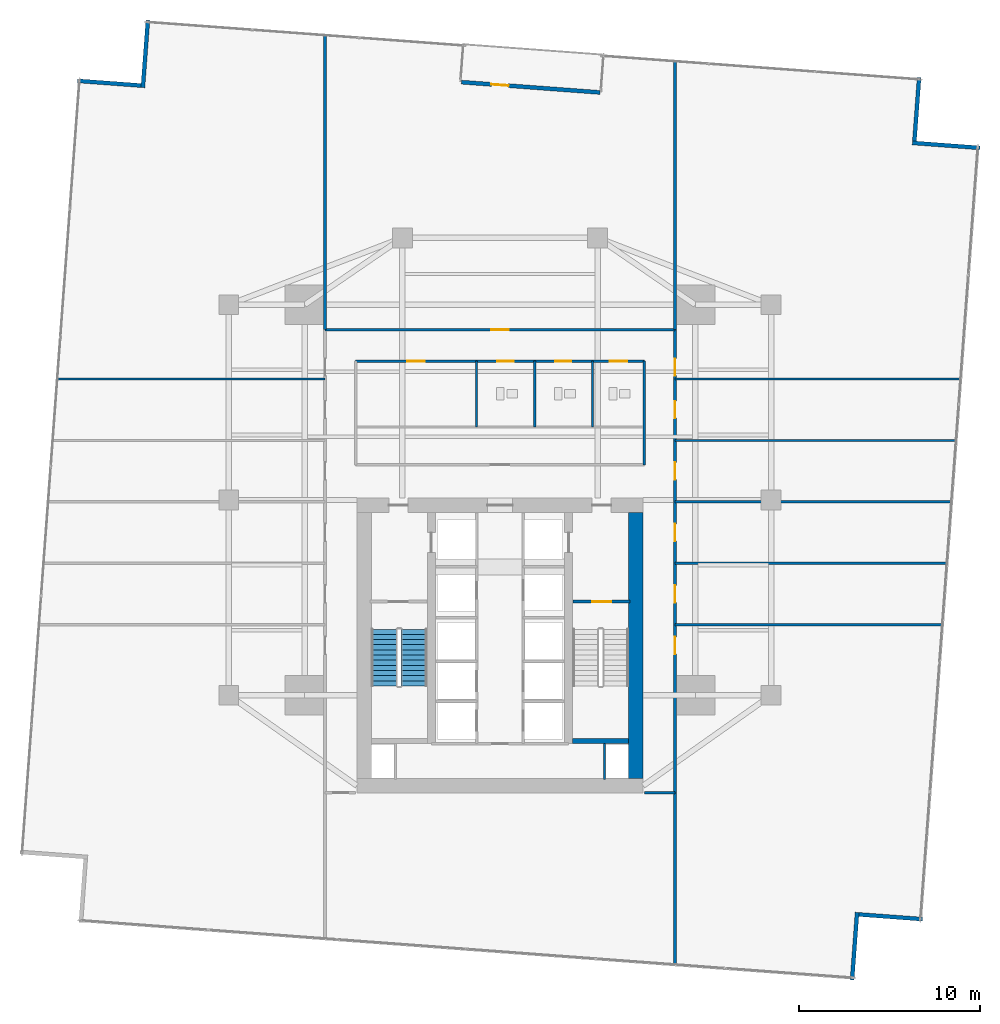
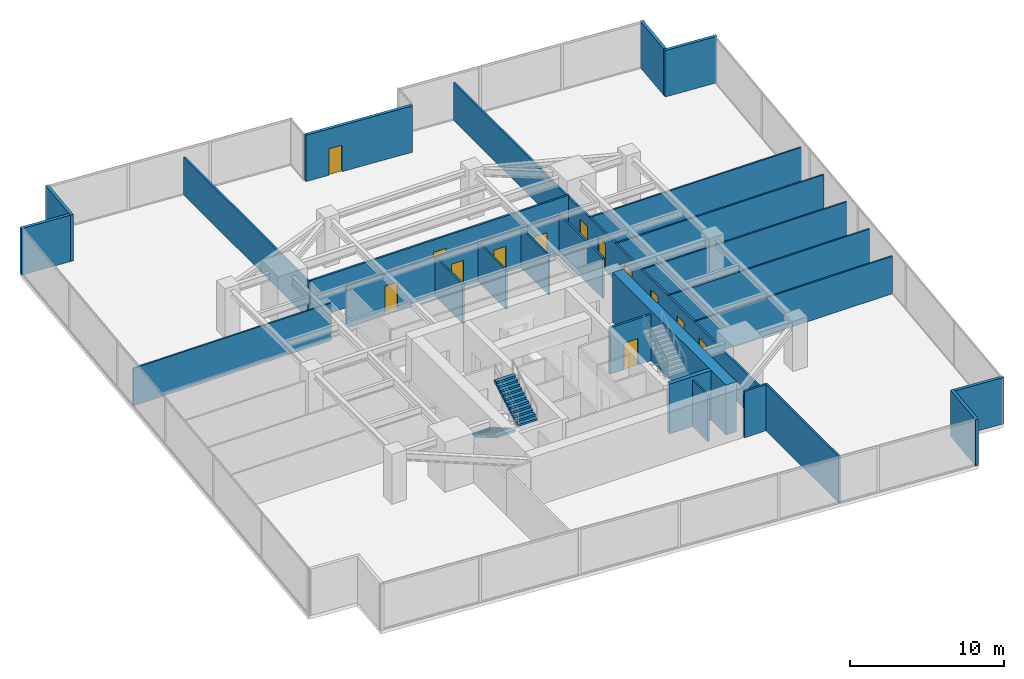
# One storey, part 27 of 30: 28 walls, 13 doors, 2 stair flights, 13 openings, 1 element without a shape of its own.
"""IFC4 building model written with IfcOpenShell, lengths in metres."""

from ifc_helpers import new_model, si_unit, direction, frame, frame_2d, origin, place, context, subcontext, project, spatial, polyline, rectangle, outline, extrude, material, layer, layer_set, type_object, element, fill, aggregate, save


model = new_model("IFC4")

# Units and contexts
model_context = context("Model", 3, precision=1e-05, world=origin(), true_north=direction((0.0, 1.0)))
body_context = subcontext(model_context, "Body", "Model", "MODEL_VIEW")
ifc_project = project(units=[si_unit("LENGTHUNIT", "METRE"), si_unit("AREAUNIT", "SQUARE_METRE"), si_unit("VOLUMEUNIT", "CUBIC_METRE"), si_unit("PLANEANGLEUNIT", "RADIAN"), si_unit("MASSUNIT", "GRAM", prefix="KILO")], contexts=[model_context])

# Site, building, storey
site_placement = place(None, origin())
site = spatial("IfcSite", under=ifc_project, at=site_placement, CompositionType="ELEMENT")
building_placement = place(site_placement, origin())
building = spatial("IfcBuilding", under=site, at=building_placement, Name="Krantzveldt Concourse Tower", CompositionType="ELEMENT")
storey_placement = place(building_placement, frame((0.0, 0.0, 52.64990234375)))
storey = spatial("IfcBuildingStorey", under=building, at=storey_placement, Name="L12", CompositionType="ELEMENT", Elevation=52.64990234375)

# Walls
ifc_material_1 = material(Name="Anodised aluminium 6063-T6", Category="aluminium")
ifc_layer_1 = layer(ifc_material_1, 0.219970703125, Name="Anodised aluminium 6063-T6", Category="aluminium")
ifc_layer_set_1 = layer_set([ifc_layer_1], Name="Anodised aluminium 6063-T6 (WL-EXT-NOTCH220)")
wall_type_1 = type_object("IfcWallType", Name="WL-EXT-NOTCH220", PredefinedType="ELEMENTEDWALL", material=ifc_layer_set_1)
wall_1_placement = place(storey_placement, frame((16.144287109375, 49.62451171875, 0.0), z_axis=(0.0, 0.0, 1.0), x_axis=(-0.997250341397, 0.074106386922, 0.0)))
element("IfcWall", 1, at=wall_1_placement, inside=storey, type_object=wall_type_1, Name="EW-L12-NCH00", PredefinedType="ELEMENTEDWALL", context=body_context, shape_type="SweptSolid", body=[
    extrude(rectangle(XDim=3.525146484375, YDim=0.219970703125, at=frame_2d((1.7626953125, 0.0))), origin(), (0.0, 0.0, 1.0), 3.670166015625),
])
wall_2_placement = place(storey_placement, frame((55.4765625, 0.15869140625, 0.0), z_axis=(0.0, 0.0, 1.0), x_axis=(0.074123825884, 0.997249045342, 0.0)))
element("IfcWall", 2, at=wall_2_placement, inside=storey, type_object=wall_type_1, Name="EW-L12-NCH05", PredefinedType="ELEMENTEDWALL", context=body_context, shape_type="SweptSolid", body=[
    extrude(rectangle(XDim=3.744873046875, YDim=0.219970703125, at=frame_2d((1.87255859375, 0.0))), origin(), (0.0, 0.0, 1.0), 3.670166015625),
])
wall_3_placement = place(storey_placement, frame((55.855712890625, 3.775390625, 0.0), z_axis=(0.0, 0.0, 1.0), x_axis=(0.997250341397, -0.074106386922, 0.0)))
element("IfcWall", 3, at=wall_3_placement, inside=storey, type_object=wall_type_1, Name="EW-L12-NCH06", PredefinedType="ELEMENTEDWALL", context=body_context, shape_type="SweptSolid", body=[
    extrude(rectangle(XDim=3.525146484375, YDim=0.219970703125, at=frame_2d((1.7626953125, 0.0))), origin(), (0.0, 0.0, 1.0), 3.670166015625),
])
wall_4_placement = place(storey_placement, frame((62.541259765625, 46.176513671875, 0.0), z_axis=(0.0, 0.0, 1.0), x_axis=(-0.997249045342, 0.074123825884, 0.0)))
element("IfcWall", 4, at=wall_4_placement, inside=storey, type_object=wall_type_1, Name="EW-L12-NCH08", PredefinedType="ELEMENTEDWALL", context=body_context, shape_type="SweptSolid", body=[
    extrude(rectangle(XDim=3.744873046875, YDim=0.219970703125, at=frame_2d((1.87255859375, 0.0))), origin(), (0.0, 0.0, 1.0), 3.670166015625),
])
wall_5_placement = place(storey_placement, frame((58.924560546875, 46.5556640625, 0.0), z_axis=(0.0, 0.0, 1.0), x_axis=(0.074106386922, 0.997250341397, 0.0)))
element("IfcWall", 5, at=wall_5_placement, inside=storey, type_object=wall_type_1, Name="EW-L12-NCH09", PredefinedType="ELEMENTEDWALL", context=body_context, shape_type="SweptSolid", body=[
    extrude(rectangle(XDim=3.525146484375, YDim=0.219970703125, at=frame_2d((1.7626953125, 0.0))), origin(), (0.0, 0.0, 1.0), 3.670166015625),
])

# Wall, opening, door
wall_6_placement = place(storey_placement, frame((33.86181640625, 49.81201171875, 0.0), z_axis=(0.0, 0.0, 1.0), x_axis=(0.997250923726, -0.074098550107, 0.0)))
wall_6 = element("IfcWall", 6, at=wall_6_placement, inside=storey, type_object=wall_type_1, Name="EW-L12-TSLOT", PredefinedType="ELEMENTEDWALL", context=body_context, shape_type="SweptSolid", body=[
    extrude(rectangle(XDim=7.690185546875, YDim=0.219970703125, at=frame_2d((3.84521484375, 0.0))), origin(), (0.0, 0.0, 1.0), 3.670166015625),
])
opening_1_placement = place(wall_6_placement, frame((1.666748046875, 0.0, 0.0)))
opening_1 = element("IfcOpeningElement", 7, at=opening_1_placement, cuts=wall_6, Name="Opening D-EX95", PredefinedType="OPENING", context=body_context, shape_type="SweptSolid", body=[
    extrude(rectangle(XDim=0.949951171875, YDim=2.10009765625, at=frame_2d((0.47509765625, 1.050048828125))), frame((0.0, 0.1201171875, 0.0), z_axis=(0.0, -1.0, 0.0), x_axis=(1.0, 0.0, 0.0)), (0.0, 0.0, 1.0), 0.239990234375),
])
door_type_1 = type_object("IfcDoorType", Name="DR-EXT-950", OperationType="SINGLE_SWING_LEFT", PredefinedType="DOOR", material=ifc_material_1)
door_1_placement = place(opening_1_placement, origin())
door_1 = element("IfcDoor", 8, at=door_1_placement, inside=storey, type_object=door_type_1, Name="DR-L12-TERR", OperationType="SINGLE_SWING_LEFT", OverallHeight=2.10009765625, OverallWidth=0.949951171875, PredefinedType="DOOR", context=body_context, shape_type="SweptSolid", body=[
    extrude(rectangle(XDim=0.949951171875, YDim=2.10009765625, at=frame_2d((0.47509765625, 1.050048828125))), frame((0.0, 0.02490234375, 0.0), z_axis=(0.0, -1.0, 0.0), x_axis=(1.0, 0.0, 0.0)), (0.0, 0.0, 1.0), 0.050048828125),
])
fill(opening_1, door_1)

# Walls
wall_7_placement = place(storey_placement, frame((16.5234375, 53.241455078125, 0.0), z_axis=(0.0, 0.0, 1.0), x_axis=(-0.074119007176, -0.997249403497, 0.0)))
element("IfcWall", 9, at=wall_7_placement, inside=storey, type_object=wall_type_1, Name="EW-L12-NCH15", PredefinedType="ELEMENTEDWALL", context=body_context, shape_type="SweptSolid", body=[
    extrude(rectangle(XDim=3.7451171875, YDim=0.219970703125, at=frame_2d((1.87255859375, 0.0))), origin(), (0.0, 0.0, 1.0), 3.670166015625),
])
ifc_material_2 = material(Name="Fire-rated gypsum plasterboard on steel stud", Category="steel")
ifc_layer_2 = layer(ifc_material_2, 0.1201171875, Name="Fire-rated gypsum plasterboard on steel stud", Category="steel")
ifc_layer_set_2 = layer_set([ifc_layer_2], Name="Fire-rated gypsum plasterboard on steel stud (WL-PART-120)")
wall_type_2 = type_object("IfcWallType", Name="WL-PART-120", PredefinedType="PARTITIONING", material=ifc_layer_set_2)
for number, where, z_axis, x_axis, name in (
    (10, (37.919921875, 30.739990234375, 0.0), (0.0, 0.0, 1.0), (0.0, 1.0, 0.0), "WP-L12-WCD1"),
    (11, (41.1201171875, 30.739990234375, 0.0), (0.0, 0.0, 1.0), (0.0, 1.0, 0.0), "WP-L12-WCD2"),
    (12, (34.699951171875, 30.739990234375, 0.0), (0.0, 0.0, 1.0), (0.0, 1.0, 0.0), "WP-L12-WCD3"),
):
    element("IfcWall", number, at=place(storey_placement, frame(where, z_axis=z_axis, x_axis=x_axis)), inside=storey, type_object=wall_type_2, Name=name, PredefinedType="PARTITIONING", context=body_context, shape_type="SweptSolid", body=[
        extrude(rectangle(XDim=3.639892578125, YDim=0.1201171875, at=frame_2d((1.81982421875, 0.0))), origin(), (0.0, 0.0, 1.0), 3.1201171875),
    ])
wall_8_placement = place(storey_placement, frame((11.519287109375, 33.39990234375, 0.0), z_axis=(0.0, 0.0, 1.0), x_axis=(1.0, 0.0, 0.0)))
element("IfcWall", 13, at=wall_8_placement, inside=storey, type_object=wall_type_2, Name="WP-L12-WD5", PredefinedType="PARTITIONING", context=body_context, shape_type="SweptSolid", body=[
    extrude(rectangle(XDim=14.80078125, YDim=0.1201171875, at=frame_2d((7.400390625, 0.0))), origin(), (0.0, 0.0, 1.0), 2.97021484375),
])
wall_9_placement = place(storey_placement, frame((45.679931640625, 19.800048828125, 0.0), z_axis=(0.0, 0.0, 1.0), x_axis=(1.0, 0.0, 0.0)))
element("IfcWall", 14, at=wall_9_placement, inside=storey, type_object=wall_type_2, Name="WP-L12-ED1", PredefinedType="PARTITIONING", context=body_context, shape_type="SweptSolid", body=[
    extrude(rectangle(XDim=14.785888671875, YDim=0.1201171875, at=frame_2d((7.39306640625, 0.0))), origin(), (0.0, 0.0, 1.0), 2.97021484375),
])
wall_10_placement = place(storey_placement, frame((45.679931640625, 23.199951171875, 0.0), z_axis=(0.0, 0.0, 1.0), x_axis=(1.0, 0.0, 0.0)))
element("IfcWall", 15, at=wall_10_placement, inside=storey, type_object=wall_type_2, Name="WP-L12-ED2", PredefinedType="PARTITIONING", context=body_context, shape_type="SweptSolid", body=[
    extrude(rectangle(XDim=15.03857421875, YDim=0.1201171875, at=frame_2d((7.519287109375, 0.0))), origin(), (0.0, 0.0, 1.0), 2.97021484375),
])
wall_11_placement = place(storey_placement, frame((45.679931640625, 26.60009765625, 0.0), z_axis=(0.0, 0.0, 1.0), x_axis=(1.0, 0.0, 0.0)))
element("IfcWall", 16, at=wall_11_placement, inside=storey, type_object=wall_type_2, Name="WP-L12-ED3", PredefinedType="PARTITIONING", context=body_context, shape_type="SweptSolid", body=[
    extrude(rectangle(XDim=15.291259765625, YDim=0.1201171875, at=frame_2d((7.6455078125, 0.0))), origin(), (0.0, 0.0, 1.0), 2.97021484375),
])
wall_12_placement = place(storey_placement, frame((45.679931640625, 30.0, 0.0), z_axis=(0.0, 0.0, 1.0), x_axis=(1.0, 0.0, 0.0)))
element("IfcWall", 17, at=wall_12_placement, inside=storey, type_object=wall_type_2, Name="WP-L12-ED4", PredefinedType="PARTITIONING", context=body_context, shape_type="SweptSolid", body=[
    extrude(rectangle(XDim=15.5439453125, YDim=0.1201171875, at=frame_2d((7.77197265625, 0.0))), origin(), (0.0, 0.0, 1.0), 2.97021484375),
])
wall_13_placement = place(storey_placement, frame((45.679931640625, 33.39990234375, 0.0), z_axis=(0.0, 0.0, 1.0), x_axis=(1.0, 0.0, 0.0)))
element("IfcWall", 18, at=wall_13_placement, inside=storey, type_object=wall_type_2, Name="WP-L12-ED5", PredefinedType="PARTITIONING", context=body_context, shape_type="SweptSolid", body=[
    extrude(rectangle(XDim=15.796630859375, YDim=0.1201171875, at=frame_2d((7.8984375, 0.0))), origin(), (0.0, 0.0, 1.0), 2.97021484375),
])

# Wall, openings, doors
ifc_layer_3 = layer(ifc_material_2, 0.139892578125, Name="Fire-rated gypsum plasterboard on steel stud", Category="steel")
ifc_layer_set_3 = layer_set([ifc_layer_3], Name="Fire-rated gypsum plasterboard on steel stud (WL-PART-140)")
wall_type_3 = type_object("IfcWallType", Name="WL-PART-140", PredefinedType="PARTITIONING", material=ifc_layer_set_3)
wall_14_placement = place(storey_placement, frame((28.02001953125, 34.3798828125, 0.0), z_axis=(0.0, 0.0, 1.0), x_axis=(1.0, 0.0, 0.0)))
wall_14 = element("IfcWall", 19, at=wall_14_placement, inside=storey, type_object=wall_type_3, Name="WP-L12-ISLN", PredefinedType="PARTITIONING", context=body_context, shape_type="SweptSolid", body=[
    extrude(rectangle(XDim=15.9599609375, YDim=0.139892578125, at=frame_2d((7.97998046875, 0.0))), origin(), (0.0, 0.0, 1.0), 3.080078125),
])
opening_2_placement = place(wall_14_placement, frame((7.830078125, 0.0, 0.0)))
opening_2 = element("IfcOpeningElement", 20, at=opening_2_placement, cuts=wall_14, Name="Opening D-IN090", PredefinedType="OPENING", context=body_context, shape_type="SweptSolid", body=[
    extrude(rectangle(XDim=0.89990234375, YDim=2.10009765625, at=frame_2d((0.449951171875, 1.050048828125))), frame((0.0, 0.080078125, 0.0), z_axis=(0.0, -1.0, 0.0), x_axis=(1.0, 0.0, 0.0)), (0.0, 0.0, 1.0), 0.159912109375),
])
opening_3_placement = place(wall_14_placement, frame((11.030029296875, 0.0, 0.0)))
opening_3 = element("IfcOpeningElement", 21, at=opening_3_placement, cuts=wall_14, Name="Opening D-IN090", PredefinedType="OPENING", context=body_context, shape_type="SweptSolid", body=[
    extrude(rectangle(XDim=0.89990234375, YDim=2.10009765625, at=frame_2d((0.449951171875, 1.050048828125))), frame((0.0, 0.080078125, 0.0), z_axis=(0.0, -1.0, 0.0), x_axis=(1.0, 0.0, 0.0)), (0.0, 0.0, 1.0), 0.159912109375),
])
opening_4_placement = place(wall_14_placement, frame((14.054931640625, 0.0, 0.0)))
opening_4 = element("IfcOpeningElement", 22, at=opening_4_placement, cuts=wall_14, Name="Opening D-IN095", PredefinedType="OPENING", context=body_context, shape_type="SweptSolid", body=[
    extrude(rectangle(XDim=0.949951171875, YDim=2.10009765625, at=frame_2d((0.47509765625, 1.050048828125))), frame((0.0, 0.080078125, 0.0), z_axis=(0.0, -1.0, 0.0), x_axis=(1.0, 0.0, 0.0)), (0.0, 0.0, 1.0), 0.159912109375),
])
opening_5_placement = place(wall_14_placement, frame((2.85498046875, 0.0, 0.0)))
opening_5 = element("IfcOpeningElement", 23, at=opening_5_placement, cuts=wall_14, Name="Opening D-IN095", PredefinedType="OPENING", context=body_context, shape_type="SweptSolid", body=[
    extrude(rectangle(XDim=0.949951171875, YDim=2.10009765625, at=frame_2d((0.47509765625, 1.050048828125))), frame((0.0, 0.080078125, 0.0), z_axis=(0.0, -1.0, 0.0), x_axis=(1.0, 0.0, 0.0)), (0.0, 0.0, 1.0), 0.159912109375),
])
ifc_material_3 = material(Name="Hardwood timber", Category="wood")
door_type_2 = type_object("IfcDoorType", Name="DR-INT-900", OperationType="SINGLE_SWING_LEFT", PredefinedType="DOOR", material=ifc_material_3)
door_2_placement = place(opening_2_placement, origin())
door_2 = element("IfcDoor", 24, at=door_2_placement, inside=storey, type_object=door_type_2, Name="DR-L12-WCM", OperationType="SINGLE_SWING_LEFT", OverallHeight=2.10009765625, OverallWidth=0.89990234375, PredefinedType="DOOR", context=body_context, shape_type="SweptSolid", body=[
    extrude(rectangle(XDim=0.89990234375, YDim=2.10009765625, at=frame_2d((0.449951171875, 1.050048828125))), frame((0.0, 0.02490234375, 0.0), z_axis=(0.0, -1.0, 0.0), x_axis=(1.0, 0.0, 0.0)), (0.0, 0.0, 1.0), 0.050048828125),
])
fill(opening_2, door_2)
door_3_placement = place(opening_3_placement, origin())
door_3 = element("IfcDoor", 25, at=door_3_placement, inside=storey, type_object=door_type_2, Name="DR-L12-WCF", OperationType="SINGLE_SWING_RIGHT", OverallHeight=2.10009765625, OverallWidth=0.89990234375, PredefinedType="DOOR", context=body_context, shape_type="SweptSolid", body=[
    extrude(rectangle(XDim=0.89990234375, YDim=2.10009765625, at=frame_2d((0.449951171875, 1.050048828125))), frame((0.0, 0.02490234375, 0.0), z_axis=(0.0, -1.0, 0.0), x_axis=(1.0, 0.0, 0.0)), (0.0, 0.0, 1.0), 0.050048828125),
])
fill(opening_3, door_3)
door_type_3 = type_object("IfcDoorType", Name="DR-INT-950", OperationType="SINGLE_SWING_LEFT", PredefinedType="DOOR", material=ifc_material_3)
door_4_placement = place(opening_4_placement, origin())
door_4 = element("IfcDoor", 26, at=door_4_placement, inside=storey, type_object=door_type_3, Name="DR-L12-WCA", OperationType="SINGLE_SWING_LEFT", OverallHeight=2.10009765625, OverallWidth=0.949951171875, PredefinedType="DOOR", context=body_context, shape_type="SweptSolid", body=[
    extrude(rectangle(XDim=0.949951171875, YDim=2.10009765625, at=frame_2d((0.47509765625, 1.050048828125))), frame((0.0, 0.02490234375, 0.0), z_axis=(0.0, -1.0, 0.0), x_axis=(1.0, 0.0, 0.0)), (0.0, 0.0, 1.0), 0.050048828125),
])
fill(opening_4, door_4)
door_5_placement = place(opening_5_placement, origin())
door_5 = element("IfcDoor", 27, at=door_5_placement, inside=storey, type_object=door_type_3, Name="DR-L12-PNT", OperationType="SINGLE_SWING_RIGHT", OverallHeight=2.10009765625, OverallWidth=0.949951171875, PredefinedType="DOOR", context=body_context, shape_type="SweptSolid", body=[
    extrude(rectangle(XDim=0.949951171875, YDim=2.10009765625, at=frame_2d((0.47509765625, 1.050048828125))), frame((0.0, 0.02490234375, 0.0), z_axis=(0.0, -1.0, 0.0), x_axis=(1.0, 0.0, 0.0)), (0.0, 0.0, 1.0), 0.050048828125),
])
fill(opening_5, door_5)

# Wall
wall_15_placement = place(storey_placement, frame((43.97998046875, 28.639892578125, 0.0), z_axis=(0.0, 0.0, 1.0), x_axis=(0.0, 1.0, 0.0)))
element("IfcWall", 28, at=wall_15_placement, inside=storey, type_object=wall_type_3, Name="WP-L12-ISLE", PredefinedType="PARTITIONING", context=body_context, shape_type="SweptSolid", body=[
    extrude(rectangle(XDim=5.739990234375, YDim=0.139892578125, at=frame_2d((2.8701171875, 0.0))), origin(), (0.0, 0.0, 1.0), 3.22021484375),
])

# Wall, opening, door
wall_16_placement = place(storey_placement, frame((26.320068359375, 36.1201171875, 0.0), z_axis=(0.0, 0.0, 1.0), x_axis=(1.0, 0.0, 0.0)))
wall_16 = element("IfcWall", 29, at=wall_16_placement, inside=storey, type_object=wall_type_3, Name="WP-L12-CTOP", PredefinedType="PARTITIONING", context=body_context, shape_type="SweptSolid", body=[
    extrude(rectangle(XDim=19.35986328125, YDim=0.139892578125, at=frame_2d((9.679931640625, 0.0))), origin(), (0.0, 0.0, 1.0), 3.080078125),
])
opening_6_placement = place(wall_16_placement, frame((9.205078125, 0.0, 0.0)))
opening_6 = element("IfcOpeningElement", 30, at=opening_6_placement, cuts=wall_16, Name="Opening D-IN095", PredefinedType="OPENING", context=body_context, shape_type="SweptSolid", body=[
    extrude(rectangle(XDim=0.949951171875, YDim=2.10009765625, at=frame_2d((0.47509765625, 1.050048828125))), frame((0.0, 0.080078125, 0.0), z_axis=(0.0, -1.0, 0.0), x_axis=(1.0, 0.0, 0.0)), (0.0, 0.0, 1.0), 0.159912109375),
])
door_6_placement = place(opening_6_placement, origin())
door_6 = element("IfcDoor", 31, at=door_6_placement, inside=storey, type_object=door_type_3, Name="DR-L12-NR1", OperationType="SINGLE_SWING_LEFT", OverallHeight=2.10009765625, OverallWidth=0.949951171875, PredefinedType="DOOR", context=body_context, shape_type="SweptSolid", body=[
    extrude(rectangle(XDim=0.949951171875, YDim=2.10009765625, at=frame_2d((0.47509765625, 1.050048828125))), frame((0.0, 0.02490234375, 0.0), z_axis=(0.0, -1.0, 0.0), x_axis=(1.0, 0.0, 0.0)), (0.0, 0.0, 1.0), 0.050048828125),
])
fill(opening_6, door_6)

# Wall, openings, doors
wall_17_placement = place(storey_placement, frame((45.679931640625, 10.5, 0.0), z_axis=(0.0, 0.0, 1.0), x_axis=(0.0, 1.0, 0.0)))
wall_17 = element("IfcWall", 32, at=wall_17_placement, inside=storey, type_object=wall_type_3, Name="WP-L12-CEAST", PredefinedType="PARTITIONING", context=body_context, shape_type="SweptSolid", body=[
    extrude(rectangle(XDim=25.6201171875, YDim=0.139892578125, at=frame_2d((12.81005859375, 0.0))), origin(), (0.0, 0.0, 1.0), 2.97021484375),
])
opening_7_placement = place(wall_17_placement, frame((7.675048828125, 0.0, 0.0)))
opening_7 = element("IfcOpeningElement", 33, at=opening_7_placement, cuts=wall_17, Name="Opening D-IN095", PredefinedType="OPENING", context=body_context, shape_type="SweptSolid", body=[
    extrude(rectangle(XDim=0.949951171875, YDim=2.10009765625, at=frame_2d((0.47509765625, 1.050048828125))), frame((0.0, 0.080078125, 0.0), z_axis=(0.0, -1.0, 0.0), x_axis=(1.0, 0.0, 0.0)), (0.0, 0.0, 1.0), 0.159912109375),
])
opening_8_placement = place(wall_17_placement, frame((10.52490234375, 0.0, 0.0)))
opening_8 = element("IfcOpeningElement", 34, at=opening_8_placement, cuts=wall_17, Name="Opening D-IN095", PredefinedType="OPENING", context=body_context, shape_type="SweptSolid", body=[
    extrude(rectangle(XDim=0.949951171875, YDim=2.10009765625, at=frame_2d((0.47509765625, 1.050048828125))), frame((0.0, 0.080078125, 0.0), z_axis=(0.0, -1.0, 0.0), x_axis=(1.0, 0.0, 0.0)), (0.0, 0.0, 1.0), 0.159912109375),
])
opening_9_placement = place(wall_17_placement, frame((13.925048828125, 0.0, 0.0)))
opening_9 = element("IfcOpeningElement", 35, at=opening_9_placement, cuts=wall_17, Name="Opening D-IN095", PredefinedType="OPENING", context=body_context, shape_type="SweptSolid", body=[
    extrude(rectangle(XDim=0.949951171875, YDim=2.10009765625, at=frame_2d((0.47509765625, 1.050048828125))), frame((0.0, 0.080078125, 0.0), z_axis=(0.0, -1.0, 0.0), x_axis=(1.0, 0.0, 0.0)), (0.0, 0.0, 1.0), 0.159912109375),
])
opening_10_placement = place(wall_17_placement, frame((17.324951171875, 0.0, 0.0)))
opening_10 = element("IfcOpeningElement", 36, at=opening_10_placement, cuts=wall_17, Name="Opening D-IN095", PredefinedType="OPENING", context=body_context, shape_type="SweptSolid", body=[
    extrude(rectangle(XDim=0.949951171875, YDim=2.10009765625, at=frame_2d((0.47509765625, 1.050048828125))), frame((0.0, 0.080078125, 0.0), z_axis=(0.0, -1.0, 0.0), x_axis=(1.0, 0.0, 0.0)), (0.0, 0.0, 1.0), 0.159912109375),
])
opening_11_placement = place(wall_17_placement, frame((20.72509765625, 0.0, 0.0)))
opening_11 = element("IfcOpeningElement", 37, at=opening_11_placement, cuts=wall_17, Name="Opening D-IN095", PredefinedType="OPENING", context=body_context, shape_type="SweptSolid", body=[
    extrude(rectangle(XDim=0.949951171875, YDim=2.10009765625, at=frame_2d((0.47509765625, 1.050048828125))), frame((0.0, 0.080078125, 0.0), z_axis=(0.0, -1.0, 0.0), x_axis=(1.0, 0.0, 0.0)), (0.0, 0.0, 1.0), 0.159912109375),
])
opening_12_placement = place(wall_17_placement, frame((23.074951171875, 0.0, 0.0)))
opening_12 = element("IfcOpeningElement", 38, at=opening_12_placement, cuts=wall_17, Name="Opening D-IN095", PredefinedType="OPENING", context=body_context, shape_type="SweptSolid", body=[
    extrude(rectangle(XDim=0.949951171875, YDim=2.10009765625, at=frame_2d((0.47509765625, 1.050048828125))), frame((0.0, 0.080078125, 0.0), z_axis=(0.0, -1.0, 0.0), x_axis=(1.0, 0.0, 0.0)), (0.0, 0.0, 1.0), 0.159912109375),
])
door_7_placement = place(opening_7_placement, origin())
door_7 = element("IfcDoor", 39, at=door_7_placement, inside=storey, type_object=door_type_3, Name="DR-L12-ER1", OperationType="SINGLE_SWING_LEFT", OverallHeight=2.10009765625, OverallWidth=0.949951171875, PredefinedType="DOOR", context=body_context, shape_type="SweptSolid", body=[
    extrude(rectangle(XDim=0.949951171875, YDim=2.10009765625, at=frame_2d((0.47509765625, 1.050048828125))), frame((0.0, 0.02490234375, 0.0), z_axis=(0.0, -1.0, 0.0), x_axis=(1.0, 0.0, 0.0)), (0.0, 0.0, 1.0), 0.050048828125),
])
fill(opening_7, door_7)
door_8_placement = place(opening_8_placement, origin())
door_8 = element("IfcDoor", 40, at=door_8_placement, inside=storey, type_object=door_type_3, Name="DR-L12-ER2", OperationType="SINGLE_SWING_LEFT", OverallHeight=2.10009765625, OverallWidth=0.949951171875, PredefinedType="DOOR", context=body_context, shape_type="SweptSolid", body=[
    extrude(rectangle(XDim=0.949951171875, YDim=2.10009765625, at=frame_2d((0.47509765625, 1.050048828125))), frame((0.0, 0.02490234375, 0.0), z_axis=(0.0, -1.0, 0.0), x_axis=(1.0, 0.0, 0.0)), (0.0, 0.0, 1.0), 0.050048828125),
])
fill(opening_8, door_8)
door_9_placement = place(opening_9_placement, origin())
door_9 = element("IfcDoor", 41, at=door_9_placement, inside=storey, type_object=door_type_3, Name="DR-L12-ER3", OperationType="SINGLE_SWING_LEFT", OverallHeight=2.10009765625, OverallWidth=0.949951171875, PredefinedType="DOOR", context=body_context, shape_type="SweptSolid", body=[
    extrude(rectangle(XDim=0.949951171875, YDim=2.10009765625, at=frame_2d((0.47509765625, 1.050048828125))), frame((0.0, 0.02490234375, 0.0), z_axis=(0.0, -1.0, 0.0), x_axis=(1.0, 0.0, 0.0)), (0.0, 0.0, 1.0), 0.050048828125),
])
fill(opening_9, door_9)
door_10_placement = place(opening_10_placement, origin())
door_10 = element("IfcDoor", 42, at=door_10_placement, inside=storey, type_object=door_type_3, Name="DR-L12-ER4", OperationType="SINGLE_SWING_LEFT", OverallHeight=2.10009765625, OverallWidth=0.949951171875, PredefinedType="DOOR", context=body_context, shape_type="SweptSolid", body=[
    extrude(rectangle(XDim=0.949951171875, YDim=2.10009765625, at=frame_2d((0.47509765625, 1.050048828125))), frame((0.0, 0.02490234375, 0.0), z_axis=(0.0, -1.0, 0.0), x_axis=(1.0, 0.0, 0.0)), (0.0, 0.0, 1.0), 0.050048828125),
])
fill(opening_10, door_10)
door_11_placement = place(opening_11_placement, origin())
door_11 = element("IfcDoor", 43, at=door_11_placement, inside=storey, type_object=door_type_3, Name="DR-L12-ER5", OperationType="SINGLE_SWING_LEFT", OverallHeight=2.10009765625, OverallWidth=0.949951171875, PredefinedType="DOOR", context=body_context, shape_type="SweptSolid", body=[
    extrude(rectangle(XDim=0.949951171875, YDim=2.10009765625, at=frame_2d((0.47509765625, 1.050048828125))), frame((0.0, 0.02490234375, 0.0), z_axis=(0.0, -1.0, 0.0), x_axis=(1.0, 0.0, 0.0)), (0.0, 0.0, 1.0), 0.050048828125),
])
fill(opening_11, door_11)
door_12_placement = place(opening_12_placement, origin())
door_12 = element("IfcDoor", 44, at=door_12_placement, inside=storey, type_object=door_type_3, Name="DR-L12-ER6", OperationType="SINGLE_SWING_LEFT", OverallHeight=2.10009765625, OverallWidth=0.949951171875, PredefinedType="DOOR", context=body_context, shape_type="SweptSolid", body=[
    extrude(rectangle(XDim=0.949951171875, YDim=2.10009765625, at=frame_2d((0.47509765625, 1.050048828125))), frame((0.0, 0.02490234375, 0.0), z_axis=(0.0, -1.0, 0.0), x_axis=(1.0, 0.0, 0.0)), (0.0, 0.0, 1.0), 0.050048828125),
])
fill(opening_12, door_12)

# Walls
wall_18_placement = place(storey_placement, frame((44.0, 10.5, 0.0), z_axis=(0.0, 0.0, 1.0), x_axis=(1.0, 0.0, 0.0)))
element("IfcWall", 45, at=wall_18_placement, inside=storey, type_object=wall_type_3, Name="WP-L12-CEBOT", PredefinedType="PARTITIONING", context=body_context, shape_type="SweptSolid", body=[
    extrude(rectangle(XDim=1.679931640625, YDim=0.139892578125, at=frame_2d((0.83984375, 0.0))), origin(), (0.0, 0.0, 1.0), 3.670166015625),
])
wall_19_placement = place(storey_placement, frame((26.320068359375, 36.1201171875, 0.0), z_axis=(0.0, 0.0, 1.0), x_axis=(0.0, 1.0, 0.0)))
element("IfcWall", 46, at=wall_19_placement, inside=storey, type_object=wall_type_3, Name="WP-L12-NWL", PredefinedType="PARTITIONING", context=body_context, shape_type="SweptSolid", body=[
    extrude(rectangle(XDim=16.27783203125, YDim=0.139892578125, at=frame_2d((8.138916015625, 0.0))), origin(), (0.0, 0.0, 1.0), 2.97021484375),
])
wall_20_placement = place(storey_placement, frame((45.679931640625, 36.1201171875, 0.0), z_axis=(0.0, 0.0, 1.0), x_axis=(0.0, 1.0, 0.0)))
element("IfcWall", 47, at=wall_20_placement, inside=storey, type_object=wall_type_3, Name="WP-L12-NER", PredefinedType="PARTITIONING", context=body_context, shape_type="SweptSolid", body=[
    extrude(rectangle(XDim=14.839111328125, YDim=0.139892578125, at=frame_2d((7.41943359375, 0.0))), origin(), (0.0, 0.0, 1.0), 2.97021484375),
])
wall_21_placement = place(storey_placement, frame((45.679931640625, 1.001953125, 0.0), z_axis=(0.0, 0.0, 1.0), x_axis=(0.0, 1.0, 0.0)))
element("IfcWall", 48, at=wall_21_placement, inside=storey, type_object=wall_type_3, Name="WP-L12-SER", PredefinedType="PARTITIONING", context=body_context, shape_type="SweptSolid", body=[
    extrude(rectangle(XDim=9.498046875, YDim=0.139892578125, at=frame_2d((4.7490234375, 0.0))), origin(), (0.0, 0.0, 1.0), 3.670166015625),
])
ifc_layer_4 = layer(ifc_material_2, 0.139892578125, Name="Fire-rated gypsum plasterboard on steel stud", Category="steel")
ifc_layer_set_4 = layer_set([ifc_layer_4], Name="Fire-rated gypsum plasterboard on steel stud (WL-PART-FR140)")
wall_type_4 = type_object("IfcWallType", Name="WL-PART-FR140", PredefinedType="PARTITIONING", material=ifc_layer_set_4)
wall_22_placement = place(storey_placement, frame((41.780029296875, 11.25, 0.0), z_axis=(0.0, 0.0, 1.0), x_axis=(0.0, 1.0, 0.0)))
element("IfcWall", 49, at=wall_22_placement, inside=storey, type_object=wall_type_4, Name="WP-L12-RSE", PredefinedType="PARTITIONING", context=body_context, shape_type="SweptSolid", body=[
    extrude(rectangle(XDim=1.969970703125, YDim=0.1201171875, at=frame_2d((0.98486328125, 0.0))), origin(), (0.0, 0.0, 1.0), 3.670166015625),
])

# Wall, opening, door
ifc_layer_5 = layer(ifc_material_2, 0.159912109375, Name="Fire-rated gypsum plasterboard on steel stud", Category="steel")
ifc_layer_set_5 = layer_set([ifc_layer_5], Name="Fire-rated gypsum plasterboard on steel stud (WL-PART-FR160)")
wall_type_5 = type_object("IfcWallType", Name="WL-PART-FR160", PredefinedType="PARTITIONING", material=ifc_layer_set_5)
wall_23_placement = place(storey_placement, frame((40.0400390625, 21.080078125, 0.0), z_axis=(0.0, 0.0, 1.0), x_axis=(1.0, 0.0, 0.0)))
wall_23 = element("IfcWall", 50, at=wall_23_placement, inside=storey, type_object=wall_type_5, Name="WP-L12-ST2", PredefinedType="PARTITIONING", context=body_context, shape_type="SweptSolid", body=[
    extrude(rectangle(XDim=3.159912109375, YDim=0.159912109375, at=frame_2d((1.580078125, 0.0))), origin(), (0.0, 0.0, 1.0), 3.670166015625),
])
opening_13_placement = place(wall_23_placement, frame((1.054931640625, 0.0, 0.0)))
opening_13 = element("IfcOpeningElement", 51, at=opening_13_placement, cuts=wall_23, Name="Opening D-FD105", PredefinedType="OPENING", context=body_context, shape_type="SweptSolid", body=[
    extrude(rectangle(XDim=1.050048828125, YDim=2.10009765625, at=frame_2d((0.52490234375, 1.050048828125))), frame((0.0, 0.08984375, 0.0), z_axis=(0.0, -1.0, 0.0), x_axis=(1.0, 0.0, 0.0)), (0.0, 0.0, 1.0), 0.179931640625),
])
ifc_material_4 = material(Name="Galvanised steel", Category="steel")
door_type_4 = type_object("IfcDoorType", Name="DR-FD120-1050", OperationType="SINGLE_SWING_LEFT", PredefinedType="DOOR", material=ifc_material_4)
door_13_placement = place(opening_13_placement, origin())
door_13 = element("IfcDoor", 52, at=door_13_placement, inside=storey, type_object=door_type_4, Name="DR-L12-ST2", OperationType="SINGLE_SWING_LEFT", OverallHeight=2.10009765625, OverallWidth=1.050048828125, PredefinedType="DOOR", context=body_context, shape_type="SweptSolid", body=[
    extrude(rectangle(XDim=1.050048828125, YDim=2.10009765625, at=frame_2d((0.52490234375, 1.050048828125))), frame((0.0, 0.02490234375, 0.0), z_axis=(0.0, -1.0, 0.0), x_axis=(1.0, 0.0, 0.0)), (0.0, 0.0, 1.0), 0.050048828125),
])
fill(opening_13, door_13)

# Walls
ifc_material_5 = material(Name="Concrete C50/60", Category="concrete")
ifc_layer_6 = layer(ifc_material_5, 0.300048828125, Name="Concrete C50/60", Category="concrete")
ifc_layer_set_6 = layer_set([ifc_layer_6], Name="Concrete C50/60 (WL-SHEAR-300)")
wall_type_6 = type_object("IfcWallType", Name="WL-SHEAR-300", PredefinedType="SHEAR", material=ifc_layer_set_6)
wall_24_placement = place(storey_placement, frame((40.02001953125, 13.3701171875, 0.0), z_axis=(0.0, 0.0, 1.0), x_axis=(1.0, 0.0, 0.0)))
element("IfcWall", 53, at=wall_24_placement, inside=storey, type_object=wall_type_6, Name="CW-L12-ST2S", PredefinedType="SHEAR", context=body_context, shape_type="SweptSolid", body=[
    extrude(rectangle(XDim=3.10009765625, YDim=0.300048828125, at=frame_2d((1.550048828125, 0.0))), origin(), (0.0, 0.0, 1.0), 3.9501953125),
])
ifc_material_6 = material(Name="Concrete C60/75", Category="concrete")
ifc_layer_7 = layer(ifc_material_6, 0.800048828125, Name="Concrete C60/75", Category="concrete")
ifc_layer_set_7 = layer_set([ifc_layer_7], Name="Concrete C60/75 (WL-SHEAR-800)")
wall_type_7 = type_object("IfcWallType", Name="WL-SHEAR-800", PredefinedType="SHEAR", material=ifc_layer_set_7)
wall_25_placement = place(storey_placement, frame((43.52001953125, 11.300048828125, 0.0), z_axis=(0.0, 0.0, 1.0), x_axis=(0.0, 1.0, 0.0)))
element("IfcWall", 54, at=wall_25_placement, inside=storey, type_object=wall_type_7, Name="CW-L12-E", PredefinedType="SHEAR", context=body_context, shape_type="SweptSolid", body=[
    extrude(rectangle(XDim=14.699951171875, YDim=0.800048828125, at=frame_2d((7.35009765625, 0.0))), origin(), (0.0, 0.0, 1.0), 3.9501953125),
])

# Stair, stair flights
ifc_material_7 = material(Name="Precast concrete C40/50", Category="concrete")
stair_type = type_object("IfcStairType", Name="STR-CORE-DOGLEG", PredefinedType="HALF_TURN_STAIR", material=ifc_material_7)
stair_placement = place(storey_placement, origin())
stair = element("IfcStair", 55, at=stair_placement, inside=storey, type_object=stair_type, Name="L12 Protected Escape Stair ST-1", PredefinedType="HALF_TURN_STAIR")
stair_flight_type = type_object("IfcStairFlightType", Name="STF-CORE-1450", PredefinedType="STRAIGHT", material=ifc_material_7)
stair_flight_1_placement = place(storey_placement, frame((29.60498046875, 19.550048828125, 0.0), z_axis=(0.0, 0.0, 1.0), x_axis=(0.0, -1.0, 0.0)))
stair_flight_1 = element("IfcStairFlight", 56, at=stair_flight_1_placement, type_object=stair_flight_type, Name="ST-1 flight 1", NumberOfRisers=12, NumberOfTreads=11, PredefinedType="STRAIGHT", RiserHeight=0.164583333, TreadLength=0.285, context=body_context, shape_type="SweptSolid", body=[
    extrude(outline(polyline([(0.0, 0.0), (0.0, 0.16455078125), (0.284912109375, 0.16455078125), (0.284912109375, 0.3291015625), (0.570068359375, 0.3291015625), (0.570068359375, 0.49365234375), (0.85498046875, 0.49365234375), (0.85498046875, 0.658447265625), (1.139892578125, 0.658447265625), (1.139892578125, 0.822998046875), (1.425048828125, 0.822998046875), (1.425048828125, 0.987548828125), (1.7099609375, 0.987548828125), (1.7099609375, 1.152099609375), (1.9951171875, 1.152099609375), (1.9951171875, 1.316650390625), (2.280029296875, 1.316650390625), (2.280029296875, 1.481201171875), (2.56494140625, 1.481201171875), (2.56494140625, 1.645751953125), (2.85009765625, 1.645751953125), (2.85009765625, 1.810302734375), (3.135009765625, 1.810302734375), (3.135009765625, 1.97509765625), (3.135009765625, 1.63720703125), (0.2998046875, 0.0), (0.0, 0.0)])), frame((0.0, 0.72509765625, 0.0), z_axis=(0.0, -1.0, 0.0), x_axis=(1.0, 0.0, 0.0)), (0.0, 0.0, 1.0), 1.449951171875),
])
stair_flight_2_placement = place(storey_placement, frame((31.2548828125, 16.4150390625, 1.97509765625), z_axis=(0.0, 0.0, 1.0), x_axis=(0.0, 1.0, 0.0)))
stair_flight_2 = element("IfcStairFlight", 57, at=stair_flight_2_placement, type_object=stair_flight_type, Name="ST-1 flight 2", NumberOfRisers=12, NumberOfTreads=11, PredefinedType="STRAIGHT", RiserHeight=0.164583333, TreadLength=0.285, context=body_context, shape_type="SweptSolid", body=[
    extrude(outline(polyline([(0.0, 0.0), (0.0, 0.16455078125), (0.284912109375, 0.16455078125), (0.284912109375, 0.3291015625), (0.570068359375, 0.3291015625), (0.570068359375, 0.49365234375), (0.85498046875, 0.49365234375), (0.85498046875, 0.658447265625), (1.139892578125, 0.658447265625), (1.139892578125, 0.822998046875), (1.425048828125, 0.822998046875), (1.425048828125, 0.987548828125), (1.7099609375, 0.987548828125), (1.7099609375, 1.152099609375), (1.9951171875, 1.152099609375), (1.9951171875, 1.316650390625), (2.280029296875, 1.316650390625), (2.280029296875, 1.481201171875), (2.56494140625, 1.481201171875), (2.56494140625, 1.645751953125), (2.85009765625, 1.645751953125), (2.85009765625, 1.810302734375), (3.135009765625, 1.810302734375), (3.135009765625, 1.97509765625), (3.135009765625, 1.63720703125), (0.2998046875, 0.0), (0.0, 0.0)])), frame((0.0, 0.72509765625, 0.0), z_axis=(0.0, -1.0, 0.0), x_axis=(1.0, 0.0, 0.0)), (0.0, 0.0, 1.0), 1.449951171875),
])
aggregate(stair, [stair_flight_1, stair_flight_2])

save(model, "model.ifc")
